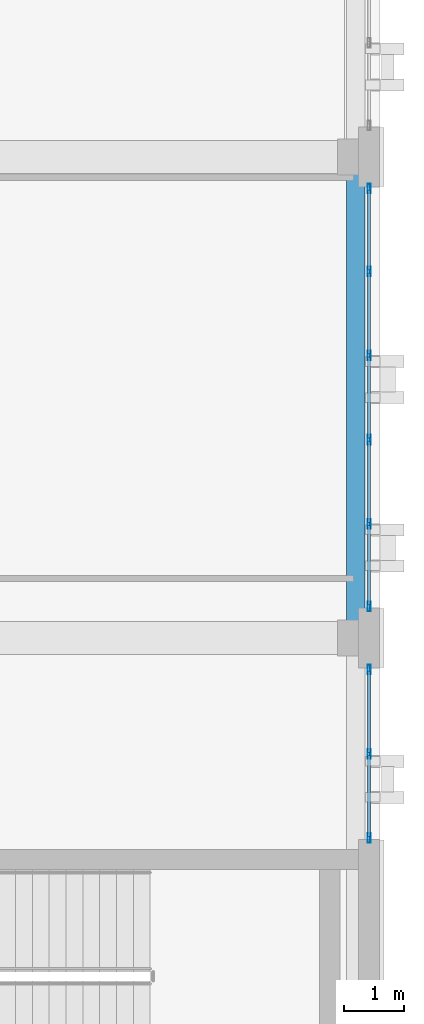
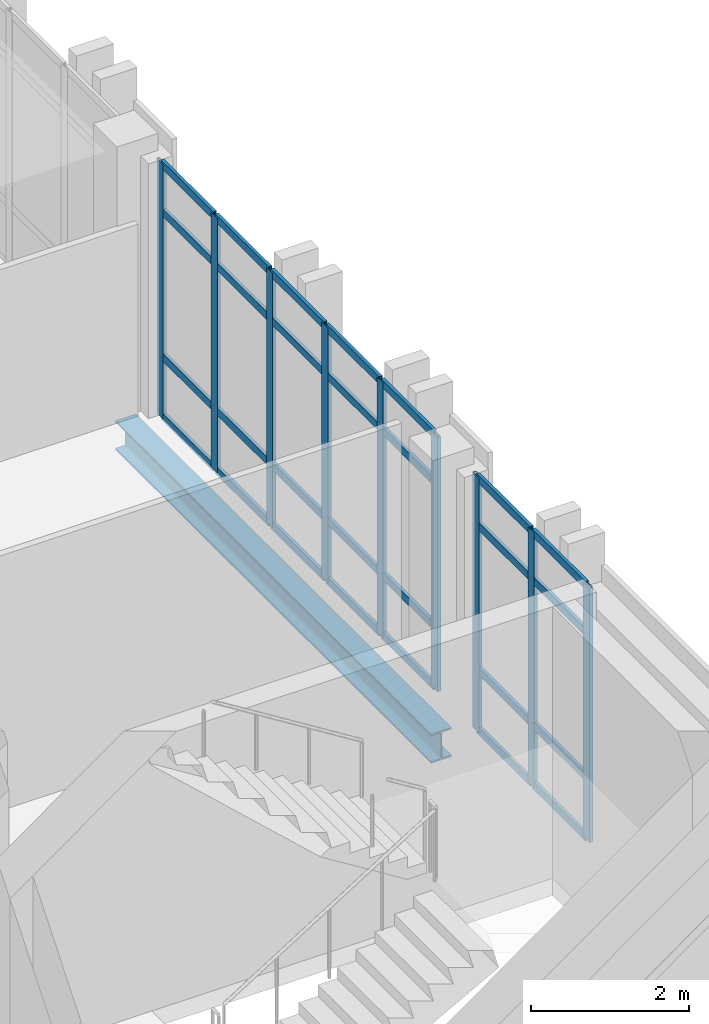
# One storey, part 27 of 48: 37 members, 1 beam, 2 elements without a shape of their own.
"""IFC4 building model written with IfcOpenShell, lengths in metres."""

from ifc_helpers import new_model, si_unit, direction, frame, origin, origin_2d, place, context, subcontext, project, spatial, hollow_rectangle, i_section, extrude, material, layer, layer_set, material_profile, profile_set, type_object, element, aggregate, save


model = new_model("IFC4")

# Units and contexts
model_context = context("Model", 3, precision=1e-05, world=origin(), true_north=direction((0.0, 1.0)))
body_context = subcontext(model_context, "Body", "Model", "MODEL_VIEW")
ifc_project = project(units=[si_unit("LENGTHUNIT", "METRE"), si_unit("AREAUNIT", "SQUARE_METRE"), si_unit("VOLUMEUNIT", "CUBIC_METRE"), si_unit("PLANEANGLEUNIT", "RADIAN"), si_unit("MASSUNIT", "GRAM", prefix="KILO")], contexts=[model_context])

# Site, building, storey
site_placement = place(None, origin())
site = spatial("IfcSite", under=ifc_project, at=site_placement, CompositionType="ELEMENT")
building_placement = place(site_placement, origin())
building = spatial("IfcBuilding", under=site, at=building_placement, Name="Qalavern Law Courts", CompositionType="ELEMENT")
storey_placement = place(building_placement, frame((0.0, 0.0, 31.199951171875)))
storey = spatial("IfcBuildingStorey", under=building, at=storey_placement, Name="L07", CompositionType="ELEMENT", Elevation=31.199951171875)

# Curtain wall, members
ifc_material_1 = material(Name="Anodised aluminium and insulated glazing", Category="aluminium")
ifc_layer = layer(ifc_material_1, 0.159912109375)
ifc_layer_set = layer_set([ifc_layer], Name="Anodised aluminium and insulated glazing")
curtain_wall_type = type_object("IfcCurtainWallType", Name="ENV-CW-CHAMB", PredefinedType="USERDEFINED", material=ifc_layer_set)
curtain_wall_1_placement = place(storey_placement, origin())
curtain_wall_1 = element("IfcCurtainWall", 1, at=curtain_wall_1_placement, inside=storey, type_object=curtain_wall_type, Name="V4 unitised curtain wall L07 east 1", ObjectType="UNITISED CURTAIN WALL", PredefinedType="USERDEFINED")
ifc_material_2 = material(Name="Anodised aluminium", Category="aluminium")
ifc_material_profile_1 = material_profile(ifc_material_2, hollow_rectangle(XDim=0.048095703125, YDim=0.159912109375, WallThickness=0.00390625, at=origin_2d()), Name="ALU MULLION 48x160")
ifc_profile_set_1 = profile_set([ifc_material_profile_1], Name="Anodised aluminium")
member_type_1 = type_object("IfcMemberType", Name="ENV-CWM-48x160", PredefinedType="MULLION", material=ifc_profile_set_1)
member_1_placement = place(storey_placement, frame((106.62255859375, 46.073974609375, 0.0), z_axis=(0.0, 0.0, 1.0), x_axis=(-1.0, 0.0, 0.0)))
member_1 = element("IfcMember", 2, at=member_1_placement, type_object=member_type_1, Name="CW-04 mullion 1", PredefinedType="MULLION", context=body_context, shape_type="SweptSolid", body=[
    extrude(hollow_rectangle(XDim=0.048095703125, YDim=0.159912109375, WallThickness=0.00390625, at=origin_2d()), origin(), (0.0, 0.0, 1.0), 3.93994140625),
])
member_2_placement = place(storey_placement, frame((106.62255859375, 47.47509765625, 0.0), z_axis=(0.0, 0.0, 1.0), x_axis=(-1.0, 0.0, 0.0)))
member_2 = element("IfcMember", 3, at=member_2_placement, type_object=member_type_1, Name="CW-04 mullion 2", PredefinedType="MULLION", context=body_context, shape_type="SweptSolid", body=[
    extrude(hollow_rectangle(XDim=0.048095703125, YDim=0.159912109375, WallThickness=0.00390625, at=origin_2d()), origin(), (0.0, 0.0, 1.0), 3.93994140625),
])
member_3_placement = place(storey_placement, frame((106.62255859375, 48.8759765625, 0.0), z_axis=(0.0, 0.0, 1.0), x_axis=(-1.0, 0.0, 0.0)))
member_3 = element("IfcMember", 4, at=member_3_placement, type_object=member_type_1, Name="CW-04 mullion 3", PredefinedType="MULLION", context=body_context, shape_type="SweptSolid", body=[
    extrude(hollow_rectangle(XDim=0.048095703125, YDim=0.159912109375, WallThickness=0.00390625, at=origin_2d()), origin(), (0.0, 0.0, 1.0), 3.93994140625),
])

curtain_wall_2_placement = place(storey_placement, origin())
curtain_wall_2 = element("IfcCurtainWall", 5, at=curtain_wall_2_placement, inside=storey, type_object=curtain_wall_type, Name="V4 unitised curtain wall L07 east 2", ObjectType="UNITISED CURTAIN WALL", PredefinedType="USERDEFINED")
member_4_placement = place(storey_placement, frame((106.62255859375, 49.924072265625, 0.0), z_axis=(0.0, 0.0, 1.0), x_axis=(-1.0, 0.0, 0.0)))
member_4 = element("IfcMember", 6, at=member_4_placement, type_object=member_type_1, Name="CW-04 mullion 1", PredefinedType="MULLION", context=body_context, shape_type="SweptSolid", body=[
    extrude(hollow_rectangle(XDim=0.048095703125, YDim=0.159912109375, WallThickness=0.00390625, at=origin_2d()), origin(), (0.0, 0.0, 1.0), 3.93994140625),
])
member_5_placement = place(storey_placement, frame((106.62255859375, 51.300048828125, 0.0), z_axis=(0.0, 0.0, 1.0), x_axis=(-1.0, 0.0, 0.0)))
member_5 = element("IfcMember", 7, at=member_5_placement, type_object=member_type_1, Name="CW-04 mullion 2", PredefinedType="MULLION", context=body_context, shape_type="SweptSolid", body=[
    extrude(hollow_rectangle(XDim=0.048095703125, YDim=0.159912109375, WallThickness=0.00390625, at=origin_2d()), origin(), (0.0, 0.0, 1.0), 3.93994140625),
])
member_6_placement = place(storey_placement, frame((106.62255859375, 52.699951171875, 0.0), z_axis=(0.0, 0.0, 1.0), x_axis=(-1.0, 0.0, 0.0)))
member_6 = element("IfcMember", 8, at=member_6_placement, type_object=member_type_1, Name="CW-04 mullion 3", PredefinedType="MULLION", context=body_context, shape_type="SweptSolid", body=[
    extrude(hollow_rectangle(XDim=0.048095703125, YDim=0.159912109375, WallThickness=0.00390625, at=origin_2d()), origin(), (0.0, 0.0, 1.0), 3.93994140625),
])
member_7_placement = place(storey_placement, frame((106.62255859375, 54.10009765625, 0.0), z_axis=(0.0, 0.0, 1.0), x_axis=(-1.0, 0.0, 0.0)))
member_7 = element("IfcMember", 9, at=member_7_placement, type_object=member_type_1, Name="CW-04 mullion 4", PredefinedType="MULLION", context=body_context, shape_type="SweptSolid", body=[
    extrude(hollow_rectangle(XDim=0.048095703125, YDim=0.159912109375, WallThickness=0.00390625, at=origin_2d()), origin(), (0.0, 0.0, 1.0), 3.93994140625),
])
member_8_placement = place(storey_placement, frame((106.62255859375, 55.5, 0.0), z_axis=(0.0, 0.0, 1.0), x_axis=(-1.0, 0.0, 0.0)))
member_8 = element("IfcMember", 10, at=member_8_placement, type_object=member_type_1, Name="CW-04 mullion 5", PredefinedType="MULLION", context=body_context, shape_type="SweptSolid", body=[
    extrude(hollow_rectangle(XDim=0.048095703125, YDim=0.159912109375, WallThickness=0.00390625, at=origin_2d()), origin(), (0.0, 0.0, 1.0), 3.93994140625),
])
member_9_placement = place(storey_placement, frame((106.62255859375, 56.8759765625, 0.0), z_axis=(0.0, 0.0, 1.0), x_axis=(-1.0, 0.0, 0.0)))
member_9 = element("IfcMember", 11, at=member_9_placement, type_object=member_type_1, Name="CW-04 mullion 6", PredefinedType="MULLION", context=body_context, shape_type="SweptSolid", body=[
    extrude(hollow_rectangle(XDim=0.048095703125, YDim=0.159912109375, WallThickness=0.00390625, at=origin_2d()), origin(), (0.0, 0.0, 1.0), 3.93994140625),
])

# Member
ifc_material_profile_2 = material_profile(ifc_material_2, hollow_rectangle(XDim=0.048095703125, YDim=0.1201171875, WallThickness=0.00390625, at=origin_2d()), Name="ALU TRANSOM 48x120")
ifc_profile_set_2 = profile_set([ifc_material_profile_2], Name="Anodised aluminium")
member_type_2 = type_object("IfcMemberType", Name="ENV-CWT-48x120", PredefinedType="USERDEFINED", material=ifc_profile_set_2)
member_10_placement = place(storey_placement, frame((106.62255859375, 46.097900390625, 0.024169921875), z_axis=(0.0, 1.0, 0.0), x_axis=(-1.0, 0.0, 0.0)))
member_10 = element("IfcMember", 12, at=member_10_placement, type_object=member_type_2, Name="CW-04 transom 1.1", ObjectType="TRANSOM", PredefinedType="USERDEFINED", context=body_context, shape_type="SweptSolid", body=[
    extrude(hollow_rectangle(XDim=0.048095703125, YDim=0.1201171875, WallThickness=0.00390625, at=origin_2d()), origin(), (0.0, 0.0, 1.0), 1.35302734375),
])

member_11_placement = place(storey_placement, frame((106.62255859375, 46.097900390625, 0.949951171875), z_axis=(0.0, 1.0, 0.0), x_axis=(-1.0, 0.0, 0.0)))
member_11 = element("IfcMember", 13, at=member_11_placement, type_object=member_type_2, Name="CW-04 transom 1.2", ObjectType="TRANSOM", PredefinedType="USERDEFINED", context=body_context, shape_type="SweptSolid", body=[
    extrude(hollow_rectangle(XDim=0.048095703125, YDim=0.1201171875, WallThickness=0.00390625, at=origin_2d()), origin(), (0.0, 0.0, 1.0), 1.35302734375),
])

member_12_placement = place(storey_placement, frame((106.62255859375, 46.097900390625, 3.18994140625), z_axis=(0.0, 1.0, 0.0), x_axis=(-1.0, 0.0, 0.0)))
member_12 = element("IfcMember", 14, at=member_12_placement, type_object=member_type_2, Name="CW-04 transom 1.3", ObjectType="TRANSOM", PredefinedType="USERDEFINED", context=body_context, shape_type="SweptSolid", body=[
    extrude(hollow_rectangle(XDim=0.048095703125, YDim=0.1201171875, WallThickness=0.00390625, at=origin_2d()), origin(), (0.0, 0.0, 1.0), 1.35302734375),
])

member_13_placement = place(storey_placement, frame((106.62255859375, 46.097900390625, 3.916015625), z_axis=(0.0, 1.0, 0.0), x_axis=(-1.0, 0.0, 0.0)))
member_13 = element("IfcMember", 15, at=member_13_placement, type_object=member_type_2, Name="CW-04 transom 1.4", ObjectType="TRANSOM", PredefinedType="USERDEFINED", context=body_context, shape_type="SweptSolid", body=[
    extrude(hollow_rectangle(XDim=0.048095703125, YDim=0.1201171875, WallThickness=0.00390625, at=origin_2d()), origin(), (0.0, 0.0, 1.0), 1.35302734375),
])

member_14_placement = place(storey_placement, frame((106.62255859375, 47.4990234375, 0.024169921875), z_axis=(0.0, 1.0, 0.0), x_axis=(-1.0, 0.0, 0.0)))
member_14 = element("IfcMember", 16, at=member_14_placement, type_object=member_type_2, Name="CW-04 transom 2.1", ObjectType="TRANSOM", PredefinedType="USERDEFINED", context=body_context, shape_type="SweptSolid", body=[
    extrude(hollow_rectangle(XDim=0.048095703125, YDim=0.1201171875, WallThickness=0.00390625, at=origin_2d()), origin(), (0.0, 0.0, 1.0), 1.35302734375),
])

member_15_placement = place(storey_placement, frame((106.62255859375, 47.4990234375, 0.949951171875), z_axis=(0.0, 1.0, 0.0), x_axis=(-1.0, 0.0, 0.0)))
member_15 = element("IfcMember", 17, at=member_15_placement, type_object=member_type_2, Name="CW-04 transom 2.2", ObjectType="TRANSOM", PredefinedType="USERDEFINED", context=body_context, shape_type="SweptSolid", body=[
    extrude(hollow_rectangle(XDim=0.048095703125, YDim=0.1201171875, WallThickness=0.00390625, at=origin_2d()), origin(), (0.0, 0.0, 1.0), 1.35302734375),
])

member_16_placement = place(storey_placement, frame((106.62255859375, 47.4990234375, 3.18994140625), z_axis=(0.0, 1.0, 0.0), x_axis=(-1.0, 0.0, 0.0)))
member_16 = element("IfcMember", 18, at=member_16_placement, type_object=member_type_2, Name="CW-04 transom 2.3", ObjectType="TRANSOM", PredefinedType="USERDEFINED", context=body_context, shape_type="SweptSolid", body=[
    extrude(hollow_rectangle(XDim=0.048095703125, YDim=0.1201171875, WallThickness=0.00390625, at=origin_2d()), origin(), (0.0, 0.0, 1.0), 1.35302734375),
])

member_17_placement = place(storey_placement, frame((106.62255859375, 47.4990234375, 3.916015625), z_axis=(0.0, 1.0, 0.0), x_axis=(-1.0, 0.0, 0.0)))
member_17 = element("IfcMember", 19, at=member_17_placement, type_object=member_type_2, Name="CW-04 transom 2.4", ObjectType="TRANSOM", PredefinedType="USERDEFINED", context=body_context, shape_type="SweptSolid", body=[
    extrude(hollow_rectangle(XDim=0.048095703125, YDim=0.1201171875, WallThickness=0.00390625, at=origin_2d()), origin(), (0.0, 0.0, 1.0), 1.35302734375),
])

aggregate(curtain_wall_1, [member_1, member_2, member_3, member_10, member_11, member_12, member_13, member_14, member_15, member_16, member_17])

member_18_placement = place(storey_placement, frame((106.62255859375, 49.947998046875, 0.024169921875), z_axis=(0.0, 1.0, 0.0), x_axis=(-1.0, 0.0, 0.0)))
member_18 = element("IfcMember", 20, at=member_18_placement, type_object=member_type_2, Name="CW-04 transom 1.1", ObjectType="TRANSOM", PredefinedType="USERDEFINED", context=body_context, shape_type="SweptSolid", body=[
    extrude(hollow_rectangle(XDim=0.048095703125, YDim=0.1201171875, WallThickness=0.00390625, at=origin_2d()), origin(), (0.0, 0.0, 1.0), 1.327880859375),
])

member_19_placement = place(storey_placement, frame((106.62255859375, 49.947998046875, 0.949951171875), z_axis=(0.0, 1.0, 0.0), x_axis=(-1.0, 0.0, 0.0)))
member_19 = element("IfcMember", 21, at=member_19_placement, type_object=member_type_2, Name="CW-04 transom 1.2", ObjectType="TRANSOM", PredefinedType="USERDEFINED", context=body_context, shape_type="SweptSolid", body=[
    extrude(hollow_rectangle(XDim=0.048095703125, YDim=0.1201171875, WallThickness=0.00390625, at=origin_2d()), origin(), (0.0, 0.0, 1.0), 1.327880859375),
])

member_20_placement = place(storey_placement, frame((106.62255859375, 49.947998046875, 3.18994140625), z_axis=(0.0, 1.0, 0.0), x_axis=(-1.0, 0.0, 0.0)))
member_20 = element("IfcMember", 22, at=member_20_placement, type_object=member_type_2, Name="CW-04 transom 1.3", ObjectType="TRANSOM", PredefinedType="USERDEFINED", context=body_context, shape_type="SweptSolid", body=[
    extrude(hollow_rectangle(XDim=0.048095703125, YDim=0.1201171875, WallThickness=0.00390625, at=origin_2d()), origin(), (0.0, 0.0, 1.0), 1.327880859375),
])

member_21_placement = place(storey_placement, frame((106.62255859375, 49.947998046875, 3.916015625), z_axis=(0.0, 1.0, 0.0), x_axis=(-1.0, 0.0, 0.0)))
member_21 = element("IfcMember", 23, at=member_21_placement, type_object=member_type_2, Name="CW-04 transom 1.4", ObjectType="TRANSOM", PredefinedType="USERDEFINED", context=body_context, shape_type="SweptSolid", body=[
    extrude(hollow_rectangle(XDim=0.048095703125, YDim=0.1201171875, WallThickness=0.00390625, at=origin_2d()), origin(), (0.0, 0.0, 1.0), 1.327880859375),
])

member_22_placement = place(storey_placement, frame((106.62255859375, 51.323974609375, 0.024169921875), z_axis=(0.0, 1.0, 0.0), x_axis=(-1.0, 0.0, 0.0)))
member_22 = element("IfcMember", 24, at=member_22_placement, type_object=member_type_2, Name="CW-04 transom 2.1", ObjectType="TRANSOM", PredefinedType="USERDEFINED", context=body_context, shape_type="SweptSolid", body=[
    extrude(hollow_rectangle(XDim=0.048095703125, YDim=0.1201171875, WallThickness=0.00390625, at=origin_2d()), origin(), (0.0, 0.0, 1.0), 1.35205078125),
])

member_23_placement = place(storey_placement, frame((106.62255859375, 51.323974609375, 0.949951171875), z_axis=(0.0, 1.0, 0.0), x_axis=(-1.0, 0.0, 0.0)))
member_23 = element("IfcMember", 25, at=member_23_placement, type_object=member_type_2, Name="CW-04 transom 2.2", ObjectType="TRANSOM", PredefinedType="USERDEFINED", context=body_context, shape_type="SweptSolid", body=[
    extrude(hollow_rectangle(XDim=0.048095703125, YDim=0.1201171875, WallThickness=0.00390625, at=origin_2d()), origin(), (0.0, 0.0, 1.0), 1.35205078125),
])

member_24_placement = place(storey_placement, frame((106.62255859375, 51.323974609375, 3.18994140625), z_axis=(0.0, 1.0, 0.0), x_axis=(-1.0, 0.0, 0.0)))
member_24 = element("IfcMember", 26, at=member_24_placement, type_object=member_type_2, Name="CW-04 transom 2.3", ObjectType="TRANSOM", PredefinedType="USERDEFINED", context=body_context, shape_type="SweptSolid", body=[
    extrude(hollow_rectangle(XDim=0.048095703125, YDim=0.1201171875, WallThickness=0.00390625, at=origin_2d()), origin(), (0.0, 0.0, 1.0), 1.35205078125),
])

member_25_placement = place(storey_placement, frame((106.62255859375, 51.323974609375, 3.916015625), z_axis=(0.0, 1.0, 0.0), x_axis=(-1.0, 0.0, 0.0)))
member_25 = element("IfcMember", 27, at=member_25_placement, type_object=member_type_2, Name="CW-04 transom 2.4", ObjectType="TRANSOM", PredefinedType="USERDEFINED", context=body_context, shape_type="SweptSolid", body=[
    extrude(hollow_rectangle(XDim=0.048095703125, YDim=0.1201171875, WallThickness=0.00390625, at=origin_2d()), origin(), (0.0, 0.0, 1.0), 1.35205078125),
])

member_26_placement = place(storey_placement, frame((106.62255859375, 52.72412109375, 0.024169921875), z_axis=(0.0, 1.0, 0.0), x_axis=(-1.0, 0.0, 0.0)))
member_26 = element("IfcMember", 28, at=member_26_placement, type_object=member_type_2, Name="CW-04 transom 3.1", ObjectType="TRANSOM", PredefinedType="USERDEFINED", context=body_context, shape_type="SweptSolid", body=[
    extrude(hollow_rectangle(XDim=0.048095703125, YDim=0.1201171875, WallThickness=0.00390625, at=origin_2d()), origin(), (0.0, 0.0, 1.0), 1.351806640625),
])

member_27_placement = place(storey_placement, frame((106.62255859375, 52.72412109375, 0.949951171875), z_axis=(0.0, 1.0, 0.0), x_axis=(-1.0, 0.0, 0.0)))
member_27 = element("IfcMember", 29, at=member_27_placement, type_object=member_type_2, Name="CW-04 transom 3.2", ObjectType="TRANSOM", PredefinedType="USERDEFINED", context=body_context, shape_type="SweptSolid", body=[
    extrude(hollow_rectangle(XDim=0.048095703125, YDim=0.1201171875, WallThickness=0.00390625, at=origin_2d()), origin(), (0.0, 0.0, 1.0), 1.351806640625),
])

member_28_placement = place(storey_placement, frame((106.62255859375, 52.72412109375, 3.18994140625), z_axis=(0.0, 1.0, 0.0), x_axis=(-1.0, 0.0, 0.0)))
member_28 = element("IfcMember", 30, at=member_28_placement, type_object=member_type_2, Name="CW-04 transom 3.3", ObjectType="TRANSOM", PredefinedType="USERDEFINED", context=body_context, shape_type="SweptSolid", body=[
    extrude(hollow_rectangle(XDim=0.048095703125, YDim=0.1201171875, WallThickness=0.00390625, at=origin_2d()), origin(), (0.0, 0.0, 1.0), 1.351806640625),
])

member_29_placement = place(storey_placement, frame((106.62255859375, 52.72412109375, 3.916015625), z_axis=(0.0, 1.0, 0.0), x_axis=(-1.0, 0.0, 0.0)))
member_29 = element("IfcMember", 31, at=member_29_placement, type_object=member_type_2, Name="CW-04 transom 3.4", ObjectType="TRANSOM", PredefinedType="USERDEFINED", context=body_context, shape_type="SweptSolid", body=[
    extrude(hollow_rectangle(XDim=0.048095703125, YDim=0.1201171875, WallThickness=0.00390625, at=origin_2d()), origin(), (0.0, 0.0, 1.0), 1.351806640625),
])

member_30_placement = place(storey_placement, frame((106.62255859375, 54.1240234375, 0.024169921875), z_axis=(0.0, 1.0, 0.0), x_axis=(-1.0, 0.0, 0.0)))
member_30 = element("IfcMember", 32, at=member_30_placement, type_object=member_type_2, Name="CW-04 transom 4.1", ObjectType="TRANSOM", PredefinedType="USERDEFINED", context=body_context, shape_type="SweptSolid", body=[
    extrude(hollow_rectangle(XDim=0.048095703125, YDim=0.1201171875, WallThickness=0.00390625, at=origin_2d()), origin(), (0.0, 0.0, 1.0), 1.35205078125),
])

member_31_placement = place(storey_placement, frame((106.62255859375, 54.1240234375, 0.949951171875), z_axis=(0.0, 1.0, 0.0), x_axis=(-1.0, 0.0, 0.0)))
member_31 = element("IfcMember", 33, at=member_31_placement, type_object=member_type_2, Name="CW-04 transom 4.2", ObjectType="TRANSOM", PredefinedType="USERDEFINED", context=body_context, shape_type="SweptSolid", body=[
    extrude(hollow_rectangle(XDim=0.048095703125, YDim=0.1201171875, WallThickness=0.00390625, at=origin_2d()), origin(), (0.0, 0.0, 1.0), 1.35205078125),
])

member_32_placement = place(storey_placement, frame((106.62255859375, 54.1240234375, 3.18994140625), z_axis=(0.0, 1.0, 0.0), x_axis=(-1.0, 0.0, 0.0)))
member_32 = element("IfcMember", 34, at=member_32_placement, type_object=member_type_2, Name="CW-04 transom 4.3", ObjectType="TRANSOM", PredefinedType="USERDEFINED", context=body_context, shape_type="SweptSolid", body=[
    extrude(hollow_rectangle(XDim=0.048095703125, YDim=0.1201171875, WallThickness=0.00390625, at=origin_2d()), origin(), (0.0, 0.0, 1.0), 1.35205078125),
])

member_33_placement = place(storey_placement, frame((106.62255859375, 54.1240234375, 3.916015625), z_axis=(0.0, 1.0, 0.0), x_axis=(-1.0, 0.0, 0.0)))
member_33 = element("IfcMember", 35, at=member_33_placement, type_object=member_type_2, Name="CW-04 transom 4.4", ObjectType="TRANSOM", PredefinedType="USERDEFINED", context=body_context, shape_type="SweptSolid", body=[
    extrude(hollow_rectangle(XDim=0.048095703125, YDim=0.1201171875, WallThickness=0.00390625, at=origin_2d()), origin(), (0.0, 0.0, 1.0), 1.35205078125),
])

member_34_placement = place(storey_placement, frame((106.62255859375, 55.52392578125, 0.024169921875), z_axis=(0.0, 1.0, 0.0), x_axis=(-1.0, 0.0, 0.0)))
member_34 = element("IfcMember", 36, at=member_34_placement, type_object=member_type_2, Name="CW-04 transom 5.1", ObjectType="TRANSOM", PredefinedType="USERDEFINED", context=body_context, shape_type="SweptSolid", body=[
    extrude(hollow_rectangle(XDim=0.048095703125, YDim=0.1201171875, WallThickness=0.00390625, at=origin_2d()), origin(), (0.0, 0.0, 1.0), 1.328125),
])

member_35_placement = place(storey_placement, frame((106.62255859375, 55.52392578125, 0.949951171875), z_axis=(0.0, 1.0, 0.0), x_axis=(-1.0, 0.0, 0.0)))
member_35 = element("IfcMember", 37, at=member_35_placement, type_object=member_type_2, Name="CW-04 transom 5.2", ObjectType="TRANSOM", PredefinedType="USERDEFINED", context=body_context, shape_type="SweptSolid", body=[
    extrude(hollow_rectangle(XDim=0.048095703125, YDim=0.1201171875, WallThickness=0.00390625, at=origin_2d()), origin(), (0.0, 0.0, 1.0), 1.328125),
])

member_36_placement = place(storey_placement, frame((106.62255859375, 55.52392578125, 3.18994140625), z_axis=(0.0, 1.0, 0.0), x_axis=(-1.0, 0.0, 0.0)))
member_36 = element("IfcMember", 38, at=member_36_placement, type_object=member_type_2, Name="CW-04 transom 5.3", ObjectType="TRANSOM", PredefinedType="USERDEFINED", context=body_context, shape_type="SweptSolid", body=[
    extrude(hollow_rectangle(XDim=0.048095703125, YDim=0.1201171875, WallThickness=0.00390625, at=origin_2d()), origin(), (0.0, 0.0, 1.0), 1.328125),
])

member_37_placement = place(storey_placement, frame((106.62255859375, 55.52392578125, 3.916015625), z_axis=(0.0, 1.0, 0.0), x_axis=(-1.0, 0.0, 0.0)))
member_37 = element("IfcMember", 39, at=member_37_placement, type_object=member_type_2, Name="CW-04 transom 5.4", ObjectType="TRANSOM", PredefinedType="USERDEFINED", context=body_context, shape_type="SweptSolid", body=[
    extrude(hollow_rectangle(XDim=0.048095703125, YDim=0.1201171875, WallThickness=0.00390625, at=origin_2d()), origin(), (0.0, 0.0, 1.0), 1.328125),
])

aggregate(curtain_wall_2, [member_4, member_5, member_6, member_7, member_8, member_9, member_18, member_19, member_20, member_21, member_22, member_23, member_24, member_25, member_26, member_27, member_28, member_29, member_30, member_31, member_32, member_33, member_34, member_35, member_36, member_37])

# Beam
ifc_material_3 = material(Name="Steel S355", Category="steel")
ifc_material_profile_3 = material_profile(ifc_material_3, i_section(OverallWidth=0.300048828125, OverallDepth=0.449951171875, WebThickness=0.013916015625, FlangeThickness=0.02587890625, FilletRadius=0.027099609375, at=origin_2d()), Name="HEB 450")
ifc_profile_set_3 = profile_set([ifc_material_profile_3], Name="Steel S355")
beam_type = type_object("IfcBeamType", Name="STR-SP-HEB450", PredefinedType="SPANDREL", material=ifc_profile_set_3)
beam_placement = place(storey_placement, frame((106.39990234375, 49.39990234375, -0.489990234375), z_axis=(0.0, 1.0, 0.0), x_axis=(-1.0, 0.0, 0.0)))
element("IfcBeam", 40, at=beam_placement, inside=storey, type_object=beam_type, Name="V4 Y-beam 3-2 L07", PredefinedType="SPANDREL", context=body_context, shape_type="SweptSolid", body=[
    extrude(i_section(OverallWidth=0.300048828125, OverallDepth=0.449951171875, WebThickness=0.013916015625, FlangeThickness=0.02587890625, FilletRadius=0.027099609375, at=origin_2d()), origin(), (0.0, 0.0, 1.0), 8.0),
])

save(model, "model.ifc")
